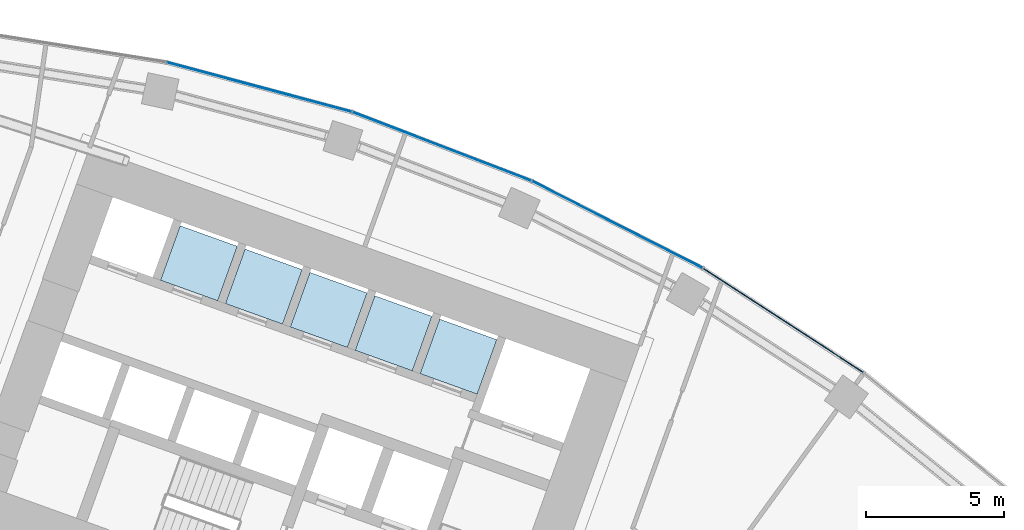
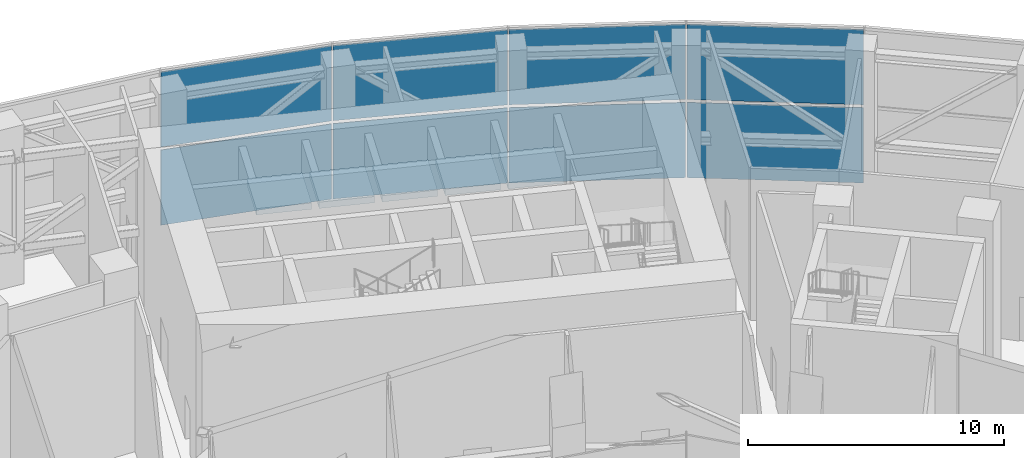
# One storey, part 19 of 30: 8 plates, 5 slabs, 1 element without a shape of its own.
"""IFC4 building model written with IfcOpenShell, lengths in metres."""

from ifc_helpers import new_model, si_unit, direction, frame, origin, origin_2d, place, context, subcontext, project, spatial, polyline, rectangle, outline, extrude, material, layer, layer_set, type_object, element, aggregate, save


model = new_model("IFC4")

# Units and contexts
model_context = context("Model", 3, precision=1e-05, world=origin(), true_north=direction((0.0, 1.0)))
body_context = subcontext(model_context, "Body", "Model", "MODEL_VIEW")
ifc_project = project(units=[si_unit("LENGTHUNIT", "METRE"), si_unit("AREAUNIT", "SQUARE_METRE"), si_unit("VOLUMEUNIT", "CUBIC_METRE"), si_unit("PLANEANGLEUNIT", "RADIAN"), si_unit("MASSUNIT", "GRAM", prefix="KILO")], contexts=[model_context])

# Site, building, storey
site_placement = place(None, origin())
site = spatial("IfcSite", under=ifc_project, at=site_placement, CompositionType="ELEMENT")
building_placement = place(site_placement, origin())
building = spatial("IfcBuilding", under=site, at=building_placement, Name="Stone Belt Terrace Tower", CompositionType="ELEMENT")
storey_placement = place(building_placement, frame((0.0, 0.0, 136.39990234375)))
storey = spatial("IfcBuildingStorey", under=building, at=storey_placement, Name="L33", CompositionType="ELEMENT", Elevation=136.39990234375)

# Curtain wall, plates
ifc_material_1 = material(Name="Aluminium 6063-T6 anodised frame", Category="aluminium")
ifc_layer_1 = layer(ifc_material_1, 0.14990234375)
ifc_layer_set_1 = layer_set([ifc_layer_1], Name="CW-A unitised convex-face curtain wall")
curtain_wall_type = type_object("IfcCurtainWallType", Name="CW-A unitised convex-face curtain wall", PredefinedType="NOTDEFINED", material=ifc_layer_set_1)
curtain_wall_placement = place(storey_placement, origin())
curtain_wall = element("IfcCurtainWall", 1, at=curtain_wall_placement, inside=storey, type_object=curtain_wall_type, Name="CW-A convex face L33", PredefinedType="NOTDEFINED")
ifc_material_2 = material(Name="Terracotta coloured glazed ceramic", Category="masonry")
ifc_layer_2 = layer(ifc_material_2, 0.031982421875)
ifc_layer_set_2 = layer_set([ifc_layer_2], Name="CW-A ceramic louvre panel 32")
plate_type = type_object("IfcPlateType", Name="CW-A ceramic louvre panel 32", PredefinedType="CURTAIN_PANEL", material=ifc_layer_set_2)
plate_1_placement = place(storey_placement, frame((36.209716796875, 55.758056640625, 0.14013671875), z_axis=(0.0, 0.0, 1.0), x_axis=(-0.838670567945, 0.544639035015, 0.0)))
plate_1 = element("IfcPlate", 2, at=plate_1_placement, type_object=plate_type, Name="CW-A louvre panel 4.1", PredefinedType="CURTAIN_PANEL", context=body_context, shape_type="SweptSolid", body=[
    extrude(rectangle(XDim=6.90087890625, YDim=0.031982421875, at=origin_2d()), origin(), (0.0, 0.0, 1.0), 3.590087890625),
])
plate_2_placement = place(storey_placement, frame((36.209716796875, 55.758056640625, 3.8701171875), z_axis=(0.0, 0.0, 1.0), x_axis=(-0.838670567945, 0.544639035015, 0.0)))
plate_2 = element("IfcPlate", 3, at=plate_2_placement, type_object=plate_type, Name="CW-A louvre panel 4.2", PredefinedType="CURTAIN_PANEL", context=body_context, shape_type="SweptSolid", body=[
    extrude(rectangle(XDim=6.90087890625, YDim=0.031982421875, at=origin_2d()), origin(), (0.0, 0.0, 1.0), 3.590087890625),
])
plate_3_placement = place(storey_placement, frame((30.18310546875, 59.237548828125, 0.14013671875), z_axis=(0.0, 0.0, 1.0), x_axis=(-0.891006524188, 0.45399049974, 0.0)))
plate_3 = element("IfcPlate", 4, at=plate_3_placement, type_object=plate_type, Name="CW-A louvre panel 5.1", PredefinedType="CURTAIN_PANEL", context=body_context, shape_type="SweptSolid", body=[
    extrude(rectangle(XDim=6.90087890625, YDim=0.031982421875, at=origin_2d()), origin(), (0.0, 0.0, 1.0), 3.590087890625),
])
plate_4_placement = place(storey_placement, frame((30.18310546875, 59.237548828125, 3.8701171875), z_axis=(0.0, 0.0, 1.0), x_axis=(-0.891006524188, 0.45399049974, 0.0)))
plate_4 = element("IfcPlate", 5, at=plate_4_placement, type_object=plate_type, Name="CW-A louvre panel 5.2", PredefinedType="CURTAIN_PANEL", context=body_context, shape_type="SweptSolid", body=[
    extrude(rectangle(XDim=6.90087890625, YDim=0.031982421875, at=origin_2d()), origin(), (0.0, 0.0, 1.0), 3.590087890625),
])
plate_5_placement = place(storey_placement, frame((23.82568359375, 62.068115234375, 0.14013671875), z_axis=(0.0, 0.0, 1.0), x_axis=(-0.933580426497, 0.358367949545, 0.0)))
plate_5 = element("IfcPlate", 6, at=plate_5_placement, type_object=plate_type, Name="CW-A louvre panel 6.1", PredefinedType="CURTAIN_PANEL", context=body_context, shape_type="SweptSolid", body=[
    extrude(rectangle(XDim=6.90087890625, YDim=0.031982421875, at=origin_2d()), origin(), (0.0, 0.0, 1.0), 3.590087890625),
])
plate_6_placement = place(storey_placement, frame((23.82568359375, 62.068115234375, 3.8701171875), z_axis=(0.0, 0.0, 1.0), x_axis=(-0.933580426497, 0.358367949545, 0.0)))
plate_6 = element("IfcPlate", 7, at=plate_6_placement, type_object=plate_type, Name="CW-A louvre panel 6.2", PredefinedType="CURTAIN_PANEL", context=body_context, shape_type="SweptSolid", body=[
    extrude(rectangle(XDim=6.90087890625, YDim=0.031982421875, at=origin_2d()), origin(), (0.0, 0.0, 1.0), 3.590087890625),
])
plate_7_placement = place(storey_placement, frame((17.207275390625, 64.218505859375, 0.14013671875), z_axis=(0.0, 0.0, 1.0), x_axis=(-0.965925826289, 0.258819045103, 0.0)))
plate_7 = element("IfcPlate", 8, at=plate_7_placement, type_object=plate_type, Name="CW-A louvre panel 7.1", PredefinedType="CURTAIN_PANEL", context=body_context, shape_type="SweptSolid", body=[
    extrude(rectangle(XDim=6.90087890625, YDim=0.031982421875, at=origin_2d()), origin(), (0.0, 0.0, 1.0), 3.590087890625),
])
plate_8_placement = place(storey_placement, frame((17.207275390625, 64.218505859375, 3.8701171875), z_axis=(0.0, 0.0, 1.0), x_axis=(-0.965925826289, 0.258819045103, 0.0)))
plate_8 = element("IfcPlate", 9, at=plate_8_placement, type_object=plate_type, Name="CW-A louvre panel 7.2", PredefinedType="CURTAIN_PANEL", context=body_context, shape_type="SweptSolid", body=[
    extrude(rectangle(XDim=6.90087890625, YDim=0.031982421875, at=origin_2d()), origin(), (0.0, 0.0, 1.0), 3.590087890625),
])
aggregate(curtain_wall, [plate_1, plate_2, plate_3, plate_4, plate_5, plate_6, plate_7, plate_8])

# Slabs
ifc_material_3 = material(Name="Concrete B40", Category="concrete")
ifc_layer_3 = layer(ifc_material_3, 0.300048828125)
ifc_layer_set_3 = layer_set([ifc_layer_3], Name="Lift pit floor 300")
slab_type = type_object("IfcSlabType", Name="Lift pit floor 300", PredefinedType="FLOOR", material=ifc_layer_set_3)
slab_1_placement = place(storey_placement, frame((0.0, 0.0, 5.5)))
element("IfcSlab", 10, at=slab_1_placement, inside=storey, type_object=slab_type, Name="Lift MR pit floor N0", PredefinedType="FLOOR", context=body_context, shape_type="SweptSolid", body=[
    extrude(outline(polyline([(25.10888671875, 53.083740234375), (23.038818359375, 53.82861328125), (23.75, 55.804443359375), (25.81982421875, 55.0595703125), (25.10888671875, 53.083740234375)])), origin(), (0.0, 0.0, 1.0), 0.300048828125),
])
slab_2_placement = place(storey_placement, frame((0.0, 0.0, 5.5)))
element("IfcSlab", 11, at=slab_2_placement, inside=storey, type_object=slab_type, Name="Lift MR pit floor N1", PredefinedType="FLOOR", context=body_context, shape_type="SweptSolid", body=[
    extrude(outline(polyline([(22.756591796875, 53.93017578125), (20.6865234375, 54.67529296875), (21.397705078125, 56.651123046875), (23.467529296875, 55.90625), (22.756591796875, 53.93017578125)])), origin(), (0.0, 0.0, 1.0), 0.300048828125),
])
slab_3_placement = place(storey_placement, frame((0.0, 0.0, 5.5)))
element("IfcSlab", 12, at=slab_3_placement, inside=storey, type_object=slab_type, Name="Lift MR pit floor N2", PredefinedType="FLOOR", context=body_context, shape_type="SweptSolid", body=[
    extrude(outline(polyline([(20.404296875, 54.77685546875), (18.334228515625, 55.521728515625), (19.045166015625, 57.49755859375), (21.115234375, 56.752685546875), (20.404296875, 54.77685546875)])), origin(), (0.0, 0.0, 1.0), 0.300048828125),
])
slab_4_placement = place(storey_placement, frame((0.0, 0.0, 5.5)))
element("IfcSlab", 13, at=slab_4_placement, inside=storey, type_object=slab_type, Name="Lift MR pit floor N3", PredefinedType="FLOOR", context=body_context, shape_type="SweptSolid", body=[
    extrude(outline(polyline([(18.052001953125, 55.623291015625), (15.98193359375, 56.368408203125), (16.69287109375, 58.34423828125), (18.762939453125, 57.599365234375), (18.052001953125, 55.623291015625)])), origin(), (0.0, 0.0, 1.0), 0.300048828125),
])
slab_5_placement = place(storey_placement, frame((0.0, 0.0, 5.5)))
element("IfcSlab", 14, at=slab_5_placement, inside=storey, type_object=slab_type, Name="Lift MR pit floor N4", PredefinedType="FLOOR", context=body_context, shape_type="SweptSolid", body=[
    extrude(outline(polyline([(15.69970703125, 56.469970703125), (13.629638671875, 57.21484375), (14.340576171875, 59.190673828125), (16.41064453125, 58.44580078125), (15.69970703125, 56.469970703125)])), origin(), (0.0, 0.0, 1.0), 0.300048828125),
])

save(model, "model.ifc")
